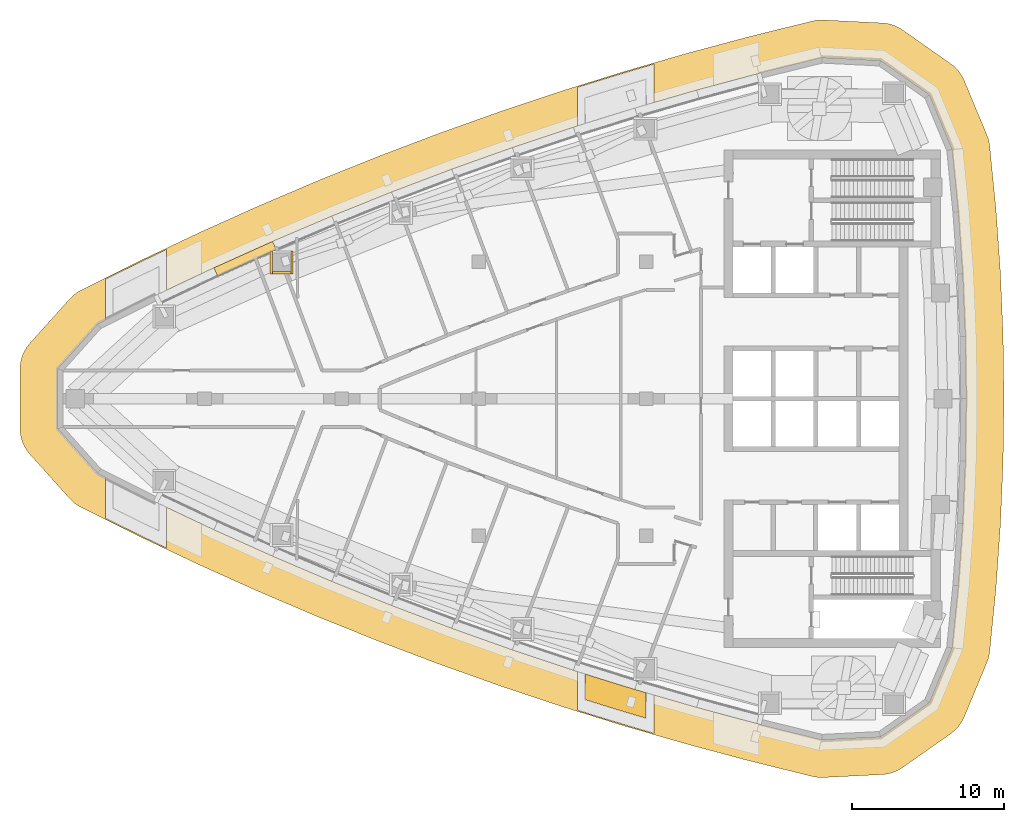
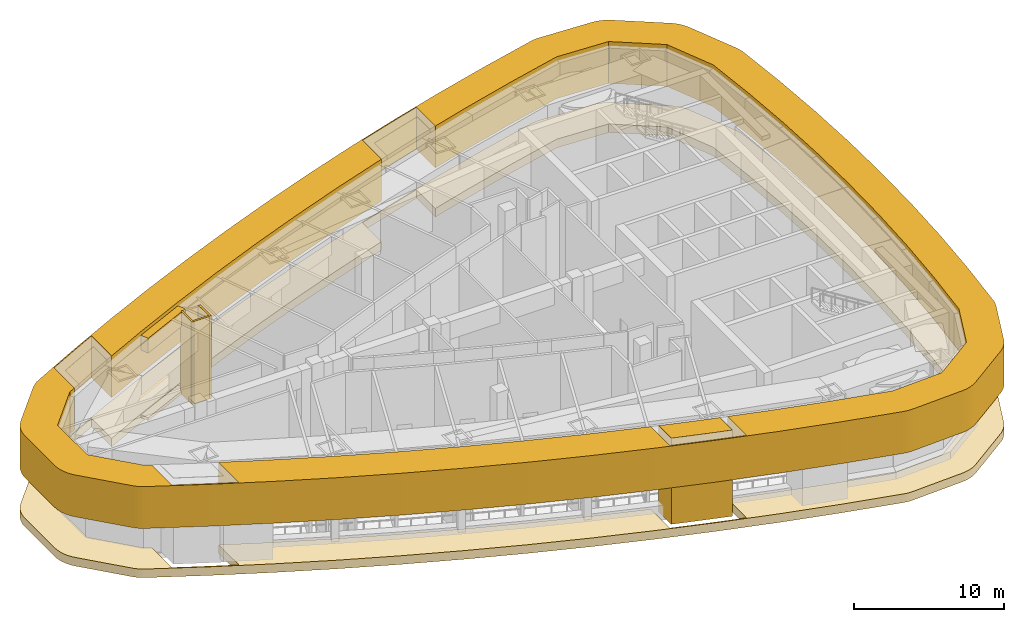
# One storey, part 8 of 12: 8 coverings.
"""IFC4 building model written with IfcOpenShell, lengths in metres."""

from ifc_helpers import new_model, si_unit, direction, frame, frame_2d, origin, place, context, subcontext, project, spatial, polyline, rectangle, outline, extrude, material, layer, layer_set, type_object, element, save


model = new_model("IFC4")

# Units and contexts
model_context = context("Model", 3, precision=1e-05, world=origin(), true_north=direction((0.0, 1.0)))
body_context = subcontext(model_context, "Body", "Model", "MODEL_VIEW")
ifc_project = project(units=[si_unit("LENGTHUNIT", "METRE"), si_unit("AREAUNIT", "SQUARE_METRE"), si_unit("VOLUMEUNIT", "CUBIC_METRE"), si_unit("PLANEANGLEUNIT", "RADIAN"), si_unit("MASSUNIT", "GRAM", prefix="KILO")], contexts=[model_context])

# Site, building, storey
site_placement = place(None, origin())
site = spatial("IfcSite", under=ifc_project, at=site_placement, CompositionType="ELEMENT")
building_placement = place(site_placement, origin())
building = spatial("IfcBuilding", under=site, at=building_placement, Name="Ostrand Prow Hotel Tower", CompositionType="ELEMENT")
storey_placement = place(building_placement, frame((0.0, 0.0, 256.300048828125)))
storey = spatial("IfcBuildingStorey", under=building, at=storey_placement, Name="L65", CompositionType="ELEMENT", Elevation=256.300048828125)

# Coverings
ifc_material_1 = material(Name="Limestone cladding", Category="masonry")
ifc_layer_1 = layer(ifc_material_1, 2.0)
ifc_layer_set_1 = layer_set([ifc_layer_1], Name="Limestone cladding")
covering_type_1 = type_object("IfcCoveringType", Name="Belt lip limestone", PredefinedType="CLADDING", material=ifc_layer_set_1)
covering_1_placement = place(storey_placement, frame((0.0, 0.0, 3.599853515625)))
element("IfcCovering", 1, at=covering_1_placement, inside=storey, type_object=covering_type_1, Name="Belt L65", PredefinedType="CLADDING", context=body_context, shape_type="SweptSolid", body=[
    extrude(outline(polyline([(11.716796875, 9.04345703125), (11.67138671875, 9.021484375), (7.888916015625, 7.13134765625), (7.683837890625, 7.0166015625), (7.49072265625, 6.88330078125), (7.310791015625, 6.732421875), (7.14599609375, 6.565185546875), (4.517578125, 3.637451171875), (4.353515625, 3.43408203125), (4.21142578125, 3.215087890625), (4.093017578125, 2.982177734375), (3.999755859375, 2.73828125), (3.93212890625, 2.486083984375), (3.8916015625, 2.22802734375), (3.877685546875, 1.96728515625), (3.877685546875, -1.96728515625), (3.8916015625, -2.22802734375), (3.93212890625, -2.486083984375), (3.999755859375, -2.73828125), (4.093017578125, -2.982177734375), (4.21142578125, -3.215087890625), (4.353515625, -3.43408203125), (4.517578125, -3.637451171875), (7.14599609375, -6.565185546875), (7.310791015625, -6.732421875), (7.49072265625, -6.88330078125), (7.683837890625, -7.0166015625), (7.888916015625, -7.13134765625), (11.67138671875, -9.021484375), (11.716796875, -9.04345703125), (15.53662109375, -10.85693359375), (15.582275390625, -10.8779296875), (19.43798828125, -12.6142578125), (19.484130859375, -12.634521484375), (23.3740234375, -14.29248046875), (23.42041015625, -14.311767578125), (27.343017578125, -15.891357421875), (27.389892578125, -15.90966796875), (31.34326171875, -17.409912109375), (31.390380859375, -17.42724609375), (35.373291015625, -18.847412109375), (35.4208984375, -18.864013671875), (39.431640625, -20.20361328125), (39.4794921875, -20.21923828125), (43.516357421875, -21.477783203125), (43.564697265625, -21.492431640625), (47.6259765625, -22.669677734375), (47.674560546875, -22.68310546875), (51.7587890625, -23.7783203125), (51.8076171875, -23.790771484375), (55.912841796875, -24.803466796875), (56.1513671875, -24.85009765625), (56.393310546875, -24.87353515625), (56.63623046875, -24.873291015625), (60.521728515625, -24.679443359375), (60.755126953125, -24.65673828125), (60.985595703125, -24.6123046875), (61.210693359375, -24.54638671875), (61.4287109375, -24.4599609375), (61.637451171875, -24.353271484375), (61.83544921875, -24.227294921875), (65.017578125, -21.989013671875), (65.202880859375, -21.84521484375), (65.373779296875, -21.684814453125), (65.529052734375, -21.5087890625), (65.667236328125, -21.3193359375), (65.786865234375, -21.117431640625), (65.88720703125, -20.905517578125), (67.3828125, -17.31396484375), (67.46630859375, -17.082275390625), (67.5263671875, -16.843505859375), (67.562744140625, -16.599609375), (67.96728515625, -12.52294921875), (67.97314453125, -12.45263671875), (68.26220703125, -8.365966796875), (68.266357421875, -8.29541015625), (68.43994140625, -4.202392578125), (68.44189453125, -4.131591796875), (68.499755859375, -0.035400390625), (68.499755859375, 0.035400390625), (68.44189453125, 4.131591796875), (68.43994140625, 4.202392578125), (68.266357421875, 8.29541015625), (68.26220703125, 8.365966796875), (67.97314453125, 12.45263671875), (67.96728515625, 12.52294921875), (67.562744140625, 16.599609375), (67.5263671875, 16.843505859375), (67.46630859375, 17.082275390625), (67.3828125, 17.31396484375), (65.88720703125, 20.905517578125), (65.786865234375, 21.117431640625), (65.667236328125, 21.3193359375), (65.529052734375, 21.5087890625), (65.373779296875, 21.684814453125), (65.202880859375, 21.84521484375), (65.017578125, 21.989013671875), (61.83544921875, 24.227294921875), (61.637451171875, 24.353271484375), (61.4287109375, 24.4599609375), (61.210693359375, 24.54638671875), (60.985595703125, 24.6123046875), (60.755126953125, 24.65673828125), (60.521728515625, 24.679443359375), (56.63623046875, 24.873291015625), (56.393310546875, 24.87353515625), (56.1513671875, 24.85009765625), (55.912841796875, 24.803466796875), (51.8076171875, 23.790771484375), (51.7587890625, 23.7783203125), (47.674560546875, 22.68310546875), (47.6259765625, 22.669677734375), (43.564697265625, 21.492431640625), (43.516357421875, 21.477783203125), (39.4794921875, 20.21923828125), (39.431640625, 20.20361328125), (35.4208984375, 18.864013671875), (35.373291015625, 18.847412109375), (31.390380859375, 17.42724609375), (31.34326171875, 17.409912109375), (27.389892578125, 15.90966796875), (27.343017578125, 15.891357421875), (23.42041015625, 14.311767578125), (23.3740234375, 14.29248046875), (19.484130859375, 12.634521484375), (19.43798828125, 12.6142578125), (15.582275390625, 10.8779296875), (15.53662109375, 10.85693359375), (11.716796875, 9.04345703125)]), holes=[polyline([(6.377685546875, -1.96728515625), (6.377685546875, 1.96728515625), (9.006103515625, 4.89501953125), (9.494384765625, 5.138916015625), (9.49365234375, 5.139404296875), (9.492919921875, 5.14013671875), (9.4921875, 5.140869140625), (9.49169921875, 5.1416015625), (9.4912109375, 5.142578125), (9.49072265625, 5.143310546875), (9.490478515625, 5.144287109375), (9.490234375, 5.145263671875), (9.489990234375, 5.146240234375), (9.489990234375, 5.147216796875), (9.489990234375, 7.836181640625), (9.489990234375, 7.837158203125), (9.490234375, 7.838134765625), (9.490478515625, 7.839111328125), (9.49072265625, 7.840087890625), (9.4912109375, 7.841064453125), (9.49169921875, 7.841796875), (9.492431640625, 7.8427734375), (9.4931640625, 7.843505859375), (9.493896484375, 7.843994140625), (9.49462890625, 7.8447265625), (9.49560546875, 7.84521484375), (10.49560546875, 8.343505859375), (10.49560546875, 8.34375), (11.49560546875, 8.835693359375), (11.49560546875, 8.835693359375), (12.49560546875, 9.321044921875), (12.49560546875, 9.321044921875), (13.49560546875, 9.800048828125), (13.49658203125, 9.80029296875), (13.49755859375, 9.80078125), (13.498291015625, 9.80078125), (13.49951171875, 9.801025390625), (13.500244140625, 9.801025390625), (13.501220703125, 9.801025390625), (13.502197265625, 9.80078125), (13.503173828125, 9.800537109375), (13.504150390625, 9.80029296875), (13.5048828125, 9.7998046875), (13.505615234375, 9.79931640625), (13.506591796875, 9.798583984375), (13.507080078125, 9.798095703125), (13.5078125, 9.79736328125), (13.50830078125, 9.79638671875), (13.5087890625, 9.795654296875), (13.50927734375, 9.794921875), (13.509521484375, 9.7939453125), (13.509765625, 9.79296875), (13.510009765625, 9.7919921875), (13.510009765625, 9.791015625), (13.510009765625, 7.1298828125), (13.510009765625, 7.12890625), (13.509765625, 7.127685546875), (13.509521484375, 7.127197265625), (16.60888671875, 8.598388671875), (20.464599609375, 10.334716796875), (24.354248046875, 11.992919921875), (28.27685546875, 13.572265625), (32.230224609375, 15.072509765625), (36.213134765625, 16.49267578125), (40.223876953125, 17.83251953125), (40.49169921875, 17.916015625), (40.4912109375, 17.916748046875), (40.49072265625, 17.91748046875), (40.490478515625, 17.918701171875), (40.490234375, 17.91943359375), (40.489990234375, 17.92041015625), (40.489990234375, 17.92138671875), (40.489990234375, 20.44091796875), (40.489990234375, 20.44189453125), (40.490234375, 20.44287109375), (40.490478515625, 20.44384765625), (40.49072265625, 20.444580078125), (40.4912109375, 20.445556640625), (40.49169921875, 20.4462890625), (40.4921875, 20.447265625), (40.492919921875, 20.447998046875), (40.49365234375, 20.448486328125), (40.494384765625, 20.44921875), (40.4951171875, 20.44970703125), (40.49609375, 20.4501953125), (40.4970703125, 20.450439453125), (41.4970703125, 20.76513671875), (41.4970703125, 20.76513671875), (42.4970703125, 21.074462890625), (42.4970703125, 21.074462890625), (43.4970703125, 21.378173828125), (43.4970703125, 21.37841796875), (44.4970703125, 21.6767578125), (44.497314453125, 21.6767578125), (45.497314453125, 21.969970703125), (45.498046875, 21.97021484375), (45.4990234375, 21.97021484375), (45.5, 21.97021484375), (45.501220703125, 21.97021484375), (45.501953125, 21.97021484375), (45.5029296875, 21.969970703125), (45.50390625, 21.969482421875), (45.5048828125, 21.968994140625), (45.505615234375, 21.968505859375), (45.50634765625, 21.968017578125), (45.507080078125, 21.96728515625), (45.5078125, 21.966552734375), (45.50830078125, 21.9658203125), (45.5087890625, 21.965087890625), (45.50927734375, 21.964111328125), (45.509521484375, 21.963134765625), (45.509765625, 21.96240234375), (45.510009765625, 21.961181640625), (45.510009765625, 21.960205078125), (45.510009765625, 19.4599609375), (45.510009765625, 19.458984375), (45.509765625, 19.4580078125), (45.509521484375, 19.45703125), (45.50927734375, 19.4560546875), (45.5087890625, 19.455078125), (45.50830078125, 19.454345703125), (45.5078125, 19.45361328125), (45.507080078125, 19.452880859375), (45.506591796875, 19.452392578125), (48.322021484375, 20.268310546875), (52.40625, 21.363525390625), (56.51171875, 22.376220703125), (60.397216796875, 22.1826171875), (63.579345703125, 19.9443359375), (65.074951171875, 16.352783203125), (65.4794921875, 12.276123046875), (65.7685546875, 8.189453125), (65.942138671875, 4.096435546875), (66.0, 0.0), (65.942138671875, -4.096435546875), (65.7685546875, -8.189453125), (65.4794921875, -12.276123046875), (65.074951171875, -16.352783203125), (63.579345703125, -19.9443359375), (60.397216796875, -22.1826171875), (56.51171875, -22.376220703125), (52.40625, -21.363525390625), (48.322021484375, -20.268310546875), (45.506591796875, -19.452392578125), (45.507080078125, -19.452880859375), (45.5078125, -19.45361328125), (45.50830078125, -19.454345703125), (45.5087890625, -19.455078125), (45.50927734375, -19.4560546875), (45.509521484375, -19.45703125), (45.509765625, -19.4580078125), (45.510009765625, -19.458984375), (45.510009765625, -19.4599609375), (45.510009765625, -21.960205078125), (45.510009765625, -21.961181640625), (45.509765625, -21.96240234375), (45.509521484375, -21.963134765625), (45.50927734375, -21.964111328125), (45.5087890625, -21.965087890625), (45.50830078125, -21.9658203125), (45.5078125, -21.966552734375), (45.507080078125, -21.96728515625), (45.50634765625, -21.968017578125), (45.505615234375, -21.968505859375), (45.5048828125, -21.968994140625), (45.50390625, -21.969482421875), (45.5029296875, -21.969970703125), (45.501953125, -21.97021484375), (45.501220703125, -21.97021484375), (45.5, -21.97021484375), (45.4990234375, -21.97021484375), (45.498046875, -21.97021484375), (45.497314453125, -21.969970703125), (44.497314453125, -21.6767578125), (44.4970703125, -21.6767578125), (43.4970703125, -21.37841796875), (43.4970703125, -21.378173828125), (42.4970703125, -21.074462890625), (42.4970703125, -21.074462890625), (41.4970703125, -20.76513671875), (41.4970703125, -20.76513671875), (40.4970703125, -20.450439453125), (40.49609375, -20.4501953125), (40.4951171875, -20.44970703125), (40.494384765625, -20.44921875), (40.49365234375, -20.448486328125), (40.492919921875, -20.447998046875), (40.4921875, -20.447265625), (40.49169921875, -20.4462890625), (40.4912109375, -20.445556640625), (40.49072265625, -20.444580078125), (40.490478515625, -20.44384765625), (40.490234375, -20.44287109375), (40.489990234375, -20.44189453125), (40.489990234375, -20.44091796875), (40.489990234375, -17.92138671875), (40.489990234375, -17.92041015625), (40.490234375, -17.91943359375), (40.490478515625, -17.918701171875), (40.49072265625, -17.91748046875), (40.4912109375, -17.916748046875), (40.49169921875, -17.916015625), (40.223876953125, -17.83251953125), (36.213134765625, -16.49267578125), (32.230224609375, -15.072509765625), (28.27685546875, -13.572265625), (24.354248046875, -11.992919921875), (20.464599609375, -10.334716796875), (16.60888671875, -8.598388671875), (13.509521484375, -7.127197265625), (13.509765625, -7.127685546875), (13.510009765625, -7.12890625), (13.510009765625, -7.1298828125), (13.510009765625, -9.791015625), (13.510009765625, -9.7919921875), (13.509765625, -9.79296875), (13.509521484375, -9.7939453125), (13.50927734375, -9.794921875), (13.5087890625, -9.795654296875), (13.50830078125, -9.79638671875), (13.5078125, -9.79736328125), (13.507080078125, -9.798095703125), (13.506591796875, -9.798583984375), (13.505615234375, -9.79931640625), (13.5048828125, -9.7998046875), (13.504150390625, -9.80029296875), (13.503173828125, -9.800537109375), (13.502197265625, -9.80078125), (13.501220703125, -9.801025390625), (13.500244140625, -9.801025390625), (13.49951171875, -9.801025390625), (13.498291015625, -9.80078125), (13.49755859375, -9.80078125), (13.49658203125, -9.80029296875), (13.49560546875, -9.800048828125), (12.49560546875, -9.321044921875), (12.49560546875, -9.321044921875), (11.49560546875, -8.835693359375), (11.49560546875, -8.835693359375), (10.49560546875, -8.34375), (10.49560546875, -8.343505859375), (9.49560546875, -7.84521484375), (9.49462890625, -7.8447265625), (9.493896484375, -7.843994140625), (9.4931640625, -7.843505859375), (9.492431640625, -7.8427734375), (9.49169921875, -7.841796875), (9.4912109375, -7.841064453125), (9.49072265625, -7.840087890625), (9.490478515625, -7.839111328125), (9.490234375, -7.838134765625), (9.489990234375, -7.837158203125), (9.489990234375, -7.836181640625), (9.489990234375, -5.147216796875), (9.489990234375, -5.146240234375), (9.490234375, -5.145263671875), (9.490478515625, -5.144287109375), (9.49072265625, -5.143310546875), (9.4912109375, -5.142578125), (9.49169921875, -5.1416015625), (9.4921875, -5.140869140625), (9.492919921875, -5.14013671875), (9.49365234375, -5.139404296875), (9.494384765625, -5.138916015625), (9.006103515625, -4.89501953125), (6.377685546875, -1.96728515625)])]), origin(), (0.0, 0.0, 1.0), 3.400146484375),
])
covering_2_placement = place(storey_placement, frame((0.0, 0.0, -0.400146484375)))
element("IfcCovering", 2, at=covering_2_placement, inside=storey, type_object=covering_type_1, Name="Belt sill L65", PredefinedType="CLADDING", context=body_context, shape_type="SweptSolid", body=[
    extrude(outline(polyline([(11.716796875, 9.04345703125), (11.67138671875, 9.021484375), (7.888916015625, 7.13134765625), (7.683837890625, 7.0166015625), (7.49072265625, 6.88330078125), (7.310791015625, 6.732421875), (7.14599609375, 6.565185546875), (4.517578125, 3.637451171875), (4.353515625, 3.43408203125), (4.21142578125, 3.215087890625), (4.093017578125, 2.982177734375), (3.999755859375, 2.73828125), (3.93212890625, 2.486083984375), (3.8916015625, 2.22802734375), (3.877685546875, 1.96728515625), (3.877685546875, -1.96728515625), (3.8916015625, -2.22802734375), (3.93212890625, -2.486083984375), (3.999755859375, -2.73828125), (4.093017578125, -2.982177734375), (4.21142578125, -3.215087890625), (4.353515625, -3.43408203125), (4.517578125, -3.637451171875), (7.14599609375, -6.565185546875), (7.310791015625, -6.732421875), (7.49072265625, -6.88330078125), (7.683837890625, -7.0166015625), (7.888916015625, -7.13134765625), (11.67138671875, -9.021484375), (11.716796875, -9.04345703125), (15.53662109375, -10.85693359375), (15.582275390625, -10.8779296875), (19.43798828125, -12.6142578125), (19.484130859375, -12.634521484375), (23.3740234375, -14.29248046875), (23.42041015625, -14.311767578125), (27.343017578125, -15.891357421875), (27.389892578125, -15.90966796875), (31.34326171875, -17.409912109375), (31.390380859375, -17.42724609375), (35.373291015625, -18.847412109375), (35.4208984375, -18.864013671875), (39.431640625, -20.20361328125), (39.4794921875, -20.21923828125), (43.516357421875, -21.477783203125), (43.564697265625, -21.492431640625), (47.6259765625, -22.669677734375), (47.674560546875, -22.68310546875), (51.7587890625, -23.7783203125), (51.8076171875, -23.790771484375), (55.912841796875, -24.803466796875), (56.1513671875, -24.85009765625), (56.393310546875, -24.87353515625), (56.63623046875, -24.873291015625), (60.521728515625, -24.679443359375), (60.755126953125, -24.65673828125), (60.985595703125, -24.6123046875), (61.210693359375, -24.54638671875), (61.4287109375, -24.4599609375), (61.637451171875, -24.353271484375), (61.83544921875, -24.227294921875), (65.017578125, -21.989013671875), (65.202880859375, -21.84521484375), (65.373779296875, -21.684814453125), (65.529052734375, -21.5087890625), (65.667236328125, -21.3193359375), (65.786865234375, -21.117431640625), (65.88720703125, -20.905517578125), (67.3828125, -17.31396484375), (67.46630859375, -17.082275390625), (67.5263671875, -16.843505859375), (67.562744140625, -16.599609375), (67.96728515625, -12.52294921875), (67.97314453125, -12.45263671875), (68.26220703125, -8.365966796875), (68.266357421875, -8.29541015625), (68.43994140625, -4.202392578125), (68.44189453125, -4.131591796875), (68.499755859375, -0.035400390625), (68.499755859375, 0.035400390625), (68.44189453125, 4.131591796875), (68.43994140625, 4.202392578125), (68.266357421875, 8.29541015625), (68.26220703125, 8.365966796875), (67.97314453125, 12.45263671875), (67.96728515625, 12.52294921875), (67.562744140625, 16.599609375), (67.5263671875, 16.843505859375), (67.46630859375, 17.082275390625), (67.3828125, 17.31396484375), (65.88720703125, 20.905517578125), (65.786865234375, 21.117431640625), (65.667236328125, 21.3193359375), (65.529052734375, 21.5087890625), (65.373779296875, 21.684814453125), (65.202880859375, 21.84521484375), (65.017578125, 21.989013671875), (61.83544921875, 24.227294921875), (61.637451171875, 24.353271484375), (61.4287109375, 24.4599609375), (61.210693359375, 24.54638671875), (60.985595703125, 24.6123046875), (60.755126953125, 24.65673828125), (60.521728515625, 24.679443359375), (56.63623046875, 24.873291015625), (56.393310546875, 24.87353515625), (56.1513671875, 24.85009765625), (55.912841796875, 24.803466796875), (51.8076171875, 23.790771484375), (51.7587890625, 23.7783203125), (47.674560546875, 22.68310546875), (47.6259765625, 22.669677734375), (43.564697265625, 21.492431640625), (43.516357421875, 21.477783203125), (39.4794921875, 20.21923828125), (39.431640625, 20.20361328125), (35.4208984375, 18.864013671875), (35.373291015625, 18.847412109375), (31.390380859375, 17.42724609375), (31.34326171875, 17.409912109375), (27.389892578125, 15.90966796875), (27.343017578125, 15.891357421875), (23.42041015625, 14.311767578125), (23.3740234375, 14.29248046875), (19.484130859375, 12.634521484375), (19.43798828125, 12.6142578125), (15.582275390625, 10.8779296875), (15.53662109375, 10.85693359375), (11.716796875, 9.04345703125)]), holes=[polyline([(6.377685546875, -1.96728515625), (6.377685546875, 1.96728515625), (9.006103515625, 4.89501953125), (9.494384765625, 5.138916015625), (9.49365234375, 5.139404296875), (9.492919921875, 5.14013671875), (9.4921875, 5.140869140625), (9.49169921875, 5.1416015625), (9.4912109375, 5.142578125), (9.49072265625, 5.143310546875), (9.490478515625, 5.144287109375), (9.490234375, 5.145263671875), (9.489990234375, 5.146240234375), (9.489990234375, 5.147216796875), (9.489990234375, 7.836181640625), (9.489990234375, 7.837158203125), (9.490234375, 7.838134765625), (9.490478515625, 7.839111328125), (9.49072265625, 7.840087890625), (9.4912109375, 7.841064453125), (9.49169921875, 7.841796875), (9.492431640625, 7.8427734375), (9.4931640625, 7.843505859375), (9.493896484375, 7.843994140625), (9.49462890625, 7.8447265625), (9.49560546875, 7.84521484375), (10.49560546875, 8.343505859375), (10.49560546875, 8.34375), (11.49560546875, 8.835693359375), (11.49560546875, 8.835693359375), (12.49560546875, 9.321044921875), (12.49560546875, 9.321044921875), (13.49560546875, 9.800048828125), (13.49658203125, 9.80029296875), (13.49755859375, 9.80078125), (13.498291015625, 9.80078125), (13.49951171875, 9.801025390625), (13.500244140625, 9.801025390625), (13.501220703125, 9.801025390625), (13.502197265625, 9.80078125), (13.503173828125, 9.800537109375), (13.504150390625, 9.80029296875), (13.5048828125, 9.7998046875), (13.505615234375, 9.79931640625), (13.506591796875, 9.798583984375), (13.507080078125, 9.798095703125), (13.5078125, 9.79736328125), (13.50830078125, 9.79638671875), (13.5087890625, 9.795654296875), (13.50927734375, 9.794921875), (13.509521484375, 9.7939453125), (13.509765625, 9.79296875), (13.510009765625, 9.7919921875), (13.510009765625, 9.791015625), (13.510009765625, 7.1298828125), (13.510009765625, 7.12890625), (13.509765625, 7.127685546875), (13.509521484375, 7.127197265625), (16.60888671875, 8.598388671875), (20.464599609375, 10.334716796875), (24.354248046875, 11.992919921875), (28.27685546875, 13.572265625), (32.230224609375, 15.072509765625), (36.213134765625, 16.49267578125), (40.223876953125, 17.83251953125), (40.49169921875, 17.916015625), (40.4912109375, 17.916748046875), (40.49072265625, 17.91748046875), (40.490478515625, 17.918701171875), (40.490234375, 17.91943359375), (40.489990234375, 17.92041015625), (40.489990234375, 17.92138671875), (40.489990234375, 20.44091796875), (40.489990234375, 20.44189453125), (40.490234375, 20.44287109375), (40.490478515625, 20.44384765625), (40.49072265625, 20.444580078125), (40.4912109375, 20.445556640625), (40.49169921875, 20.4462890625), (40.4921875, 20.447265625), (40.492919921875, 20.447998046875), (40.49365234375, 20.448486328125), (40.494384765625, 20.44921875), (40.4951171875, 20.44970703125), (40.49609375, 20.4501953125), (40.4970703125, 20.450439453125), (41.4970703125, 20.76513671875), (41.4970703125, 20.76513671875), (42.4970703125, 21.074462890625), (42.4970703125, 21.074462890625), (43.4970703125, 21.378173828125), (43.4970703125, 21.37841796875), (44.4970703125, 21.6767578125), (44.497314453125, 21.6767578125), (45.497314453125, 21.969970703125), (45.498046875, 21.97021484375), (45.4990234375, 21.97021484375), (45.5, 21.97021484375), (45.501220703125, 21.97021484375), (45.501953125, 21.97021484375), (45.5029296875, 21.969970703125), (45.50390625, 21.969482421875), (45.5048828125, 21.968994140625), (45.505615234375, 21.968505859375), (45.50634765625, 21.968017578125), (45.507080078125, 21.96728515625), (45.5078125, 21.966552734375), (45.50830078125, 21.9658203125), (45.5087890625, 21.965087890625), (45.50927734375, 21.964111328125), (45.509521484375, 21.963134765625), (45.509765625, 21.96240234375), (45.510009765625, 21.961181640625), (45.510009765625, 21.960205078125), (45.510009765625, 19.4599609375), (45.510009765625, 19.458984375), (45.509765625, 19.4580078125), (45.509521484375, 19.45703125), (45.50927734375, 19.4560546875), (45.5087890625, 19.455078125), (45.50830078125, 19.454345703125), (45.5078125, 19.45361328125), (45.507080078125, 19.452880859375), (45.506591796875, 19.452392578125), (48.322021484375, 20.268310546875), (52.40625, 21.363525390625), (56.51171875, 22.376220703125), (60.397216796875, 22.1826171875), (63.579345703125, 19.9443359375), (65.074951171875, 16.352783203125), (65.4794921875, 12.276123046875), (65.7685546875, 8.189453125), (65.942138671875, 4.096435546875), (66.0, 0.0), (65.942138671875, -4.096435546875), (65.7685546875, -8.189453125), (65.4794921875, -12.276123046875), (65.074951171875, -16.352783203125), (63.579345703125, -19.9443359375), (60.397216796875, -22.1826171875), (56.51171875, -22.376220703125), (52.40625, -21.363525390625), (48.322021484375, -20.268310546875), (45.506591796875, -19.452392578125), (45.507080078125, -19.452880859375), (45.5078125, -19.45361328125), (45.50830078125, -19.454345703125), (45.5087890625, -19.455078125), (45.50927734375, -19.4560546875), (45.509521484375, -19.45703125), (45.509765625, -19.4580078125), (45.510009765625, -19.458984375), (45.510009765625, -19.4599609375), (45.510009765625, -21.960205078125), (45.510009765625, -21.961181640625), (45.509765625, -21.96240234375), (45.509521484375, -21.963134765625), (45.50927734375, -21.964111328125), (45.5087890625, -21.965087890625), (45.50830078125, -21.9658203125), (45.5078125, -21.966552734375), (45.507080078125, -21.96728515625), (45.50634765625, -21.968017578125), (45.505615234375, -21.968505859375), (45.5048828125, -21.968994140625), (45.50390625, -21.969482421875), (45.5029296875, -21.969970703125), (45.501953125, -21.97021484375), (45.501220703125, -21.97021484375), (45.5, -21.97021484375), (45.4990234375, -21.97021484375), (45.498046875, -21.97021484375), (45.497314453125, -21.969970703125), (44.497314453125, -21.6767578125), (44.4970703125, -21.6767578125), (43.4970703125, -21.37841796875), (43.4970703125, -21.378173828125), (42.4970703125, -21.074462890625), (42.4970703125, -21.074462890625), (41.4970703125, -20.76513671875), (41.4970703125, -20.76513671875), (40.4970703125, -20.450439453125), (40.49609375, -20.4501953125), (40.4951171875, -20.44970703125), (40.494384765625, -20.44921875), (40.49365234375, -20.448486328125), (40.492919921875, -20.447998046875), (40.4921875, -20.447265625), (40.49169921875, -20.4462890625), (40.4912109375, -20.445556640625), (40.49072265625, -20.444580078125), (40.490478515625, -20.44384765625), (40.490234375, -20.44287109375), (40.489990234375, -20.44189453125), (40.489990234375, -20.44091796875), (40.489990234375, -17.92138671875), (40.489990234375, -17.92041015625), (40.490234375, -17.91943359375), (40.490478515625, -17.918701171875), (40.49072265625, -17.91748046875), (40.4912109375, -17.916748046875), (40.49169921875, -17.916015625), (40.223876953125, -17.83251953125), (36.213134765625, -16.49267578125), (32.230224609375, -15.072509765625), (28.27685546875, -13.572265625), (24.354248046875, -11.992919921875), (20.464599609375, -10.334716796875), (16.60888671875, -8.598388671875), (13.509521484375, -7.127197265625), (13.509765625, -7.127685546875), (13.510009765625, -7.12890625), (13.510009765625, -7.1298828125), (13.510009765625, -9.791015625), (13.510009765625, -9.7919921875), (13.509765625, -9.79296875), (13.509521484375, -9.7939453125), (13.50927734375, -9.794921875), (13.5087890625, -9.795654296875), (13.50830078125, -9.79638671875), (13.5078125, -9.79736328125), (13.507080078125, -9.798095703125), (13.506591796875, -9.798583984375), (13.505615234375, -9.79931640625), (13.5048828125, -9.7998046875), (13.504150390625, -9.80029296875), (13.503173828125, -9.800537109375), (13.502197265625, -9.80078125), (13.501220703125, -9.801025390625), (13.500244140625, -9.801025390625), (13.49951171875, -9.801025390625), (13.498291015625, -9.80078125), (13.49755859375, -9.80078125), (13.49658203125, -9.80029296875), (13.49560546875, -9.800048828125), (12.49560546875, -9.321044921875), (12.49560546875, -9.321044921875), (11.49560546875, -8.835693359375), (11.49560546875, -8.835693359375), (10.49560546875, -8.34375), (10.49560546875, -8.343505859375), (9.49560546875, -7.84521484375), (9.49462890625, -7.8447265625), (9.493896484375, -7.843994140625), (9.4931640625, -7.843505859375), (9.492431640625, -7.8427734375), (9.49169921875, -7.841796875), (9.4912109375, -7.841064453125), (9.49072265625, -7.840087890625), (9.490478515625, -7.839111328125), (9.490234375, -7.838134765625), (9.489990234375, -7.837158203125), (9.489990234375, -7.836181640625), (9.489990234375, -5.147216796875), (9.489990234375, -5.146240234375), (9.490234375, -5.145263671875), (9.490478515625, -5.144287109375), (9.49072265625, -5.143310546875), (9.4912109375, -5.142578125), (9.49169921875, -5.1416015625), (9.4921875, -5.140869140625), (9.492919921875, -5.14013671875), (9.49365234375, -5.139404296875), (9.494384765625, -5.138916015625), (9.006103515625, -4.89501953125), (6.377685546875, -1.96728515625)])]), origin(), (0.0, 0.0, 1.0), 0.7001953125),
])
ifc_material_2 = material(Name="Limestone cladding", Category="masonry")
ifc_layer_2 = layer(ifc_material_2, 5.0)
ifc_layer_set_2 = layer_set([ifc_layer_2], Name="Limestone cladding")
covering_type_2 = type_object("IfcCoveringType", Name="Portal jamb pilaster limestone", PredefinedType="CLADDING", material=ifc_layer_set_2)
covering_3_placement = place(storey_placement, origin())
element("IfcCovering", 3, at=covering_3_placement, inside=storey, type_object=covering_type_2, Name="Portal jamb SB L65", PredefinedType="CLADDING", context=body_context, shape_type="SweptSolid", body=[
    extrude(outline(polyline([(41.0, -18.08154296875), (41.0, -19.760009765625), (42.0, -20.0732421875), (43.0, -20.381103515625), (44.0, -20.68359375), (45.0, -20.980712890625), (45.0, -19.312255859375), (44.0, -19.0126953125), (43.0, -18.707763671875), (42.0, -18.3974609375), (41.0, -18.08154296875)])), origin(), (0.0, 0.0, 1.0), 7.0),
])
ifc_material_3 = material(Name="Limestone cladding", Category="masonry")
ifc_layer_3 = layer(ifc_material_3, 0.60009765625)
ifc_layer_set_3 = layer_set([ifc_layer_3], Name="Limestone cladding")
covering_type_3 = type_object("IfcCoveringType", Name="Slot reveal limestone cladding 600 mm", PredefinedType="CLADDING", material=ifc_layer_set_3)
covering_4_placement = place(storey_placement, frame((20.5849609375, 10.059814453125, 0.0), z_axis=(0.0, 0.0, 1.0), x_axis=(-0.911833857185, -0.410559395084, 0.0)))
element("IfcCovering", 4, at=covering_4_placement, inside=storey, type_object=covering_type_3, Name="Slot reveal sill N9", PredefinedType="CLADDING", context=body_context, shape_type="SweptSolid", body=[
    extrude(rectangle(XDim=4.22265625, YDim=0.60009765625, at=frame_2d((2.111328125, 0.0))), origin(), (0.0, 0.0, 1.0), 0.25),
])
covering_5_placement = place(storey_placement, frame((20.5849609375, 10.059814453125, 5.5), z_axis=(0.0, 0.0, 1.0), x_axis=(-0.911833857185, -0.410559395084, 0.0)))
element("IfcCovering", 5, at=covering_5_placement, inside=storey, type_object=covering_type_3, Name="Slot reveal soffit N9", PredefinedType="CLADDING", context=body_context, shape_type="SweptSolid", body=[
    extrude(rectangle(XDim=4.22265625, YDim=0.60009765625, at=frame_2d((2.111328125, 0.0))), origin(), (0.0, 0.0, 1.0), 1.199951171875),
])
for number, where, z_axis, x_axis, name in (
    (6, (20.30859375, 8.282470703125, 0.0), (0.0, 0.0, 1.0), (1.0, 0.0, 0.0), "Slot column sleeve MC-N5 1"),
    (7, (21.733642578125, 8.20751953125, 0.0), (0.0, 0.0, 1.0), (0.0, 1.0, 0.0), "Slot column sleeve MC-N5 2"),
    (8, (20.3837890625, 9.70751953125, 0.0), (0.0, 0.0, 1.0), (0.0, -1.0, 0.0), "Slot column sleeve MC-N5 4"),
):
    element("IfcCovering", number, at=place(storey_placement, frame(where, z_axis=z_axis, x_axis=x_axis)), inside=storey, type_object=covering_type_3, Name=name, PredefinedType="CLADDING", context=body_context, shape_type="SweptSolid", body=[
        extrude(rectangle(XDim=1.5, YDim=0.14990234375, at=frame_2d((0.75, 0.0))), origin(), (0.0, 0.0, 1.0), 6.699951171875),
    ])

save(model, "model.ifc")
